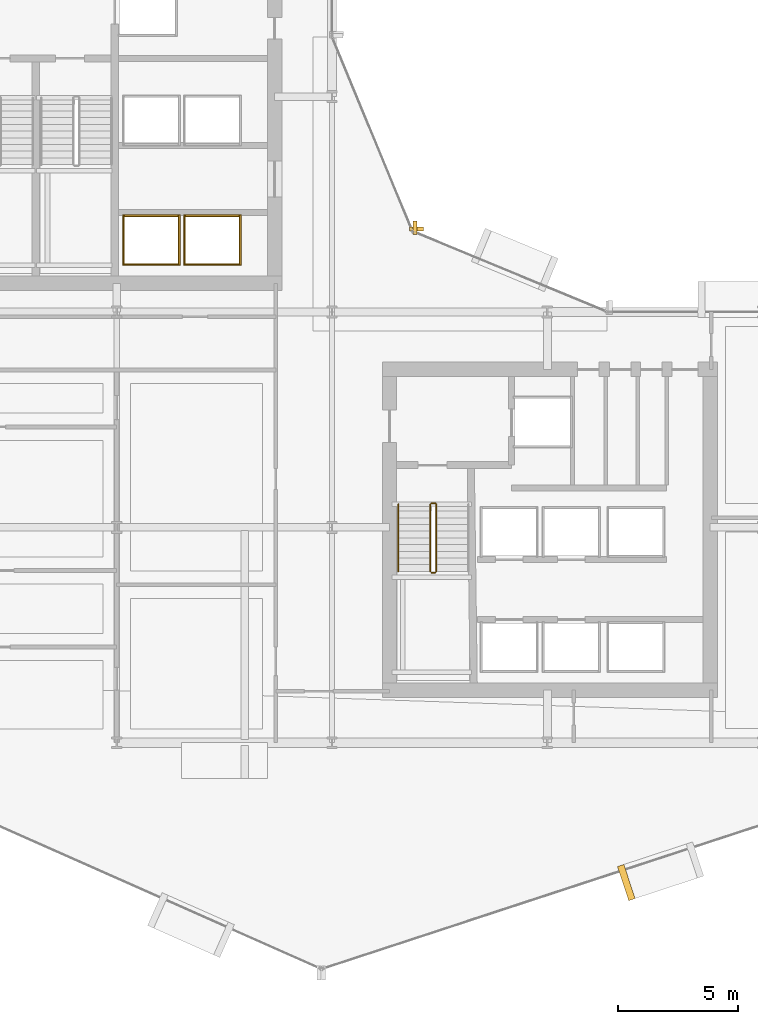
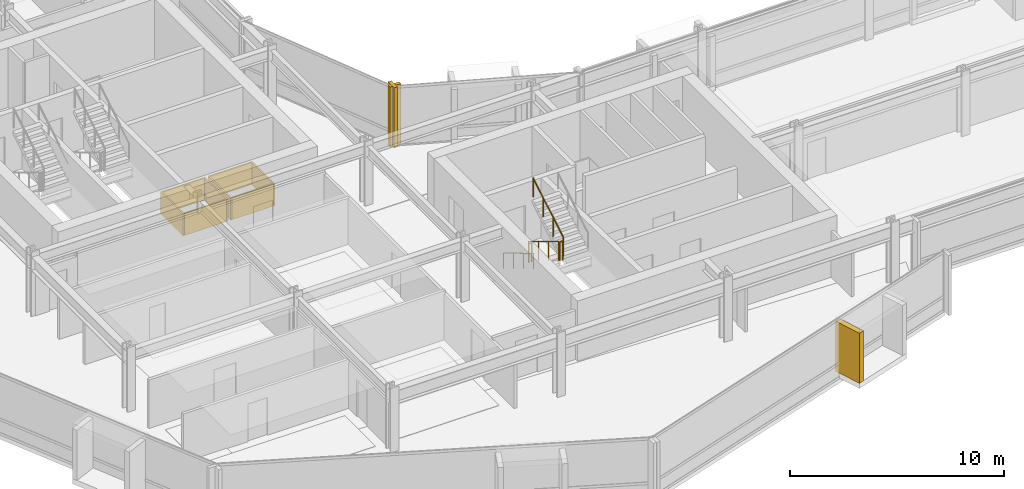
# One storey, part 31 of 34: 11 coverings, 5 railings.
"""IFC4 building model written with IfcOpenShell, lengths in metres."""

from ifc_helpers import new_model, si_unit, direction, frame, origin, origin_2d, place, context, subcontext, project, spatial, rectangle, circle, extrude, material, layer, layer_set, type_object, element, save


model = new_model("IFC4")

# Units and contexts
model_context = context("Model", 3, precision=1e-05, world=origin(), true_north=direction((0.0, 1.0)))
body_context = subcontext(model_context, "Body", "Model", "MODEL_VIEW")
ifc_project = project(units=[si_unit("LENGTHUNIT", "METRE"), si_unit("AREAUNIT", "SQUARE_METRE"), si_unit("VOLUMEUNIT", "CUBIC_METRE"), si_unit("PLANEANGLEUNIT", "RADIAN"), si_unit("MASSUNIT", "GRAM", prefix="KILO")], contexts=[model_context])

# Site, building, storey
site_placement = place(None, origin())
site = spatial("IfcSite", under=ifc_project, at=site_placement, CompositionType="ELEMENT")
building_placement = place(site_placement, origin())
building = spatial("IfcBuilding", under=site, at=building_placement, Name="Solvaryn Broadcast Tower", CompositionType="ELEMENT")
storey_placement = place(building_placement, frame((0.0, 0.0, 58.199951171875)))
storey = spatial("IfcBuildingStorey", under=building, at=storey_placement, Name="L13", CompositionType="ELEMENT", Elevation=58.199951171875)

# Coverings
ifc_material_1 = material(Name="Fire-Rated Gypsum Shaftwall Liner", Category="concrete")
ifc_layer_1 = layer(ifc_material_1, 0.080078125)
ifc_layer_set_1 = layer_set([ifc_layer_1], Name="CV-SHAFT-LINER")
covering_type_1 = type_object("IfcCoveringType", Name="CV-SHAFT-LINER", PredefinedType="CLADDING", material=ifc_layer_set_1)
for number, where, z_axis, x_axis, name in (
    (1, (19.449951171875, 31.014892578125, 0.0), (0.0, 0.0, 1.0), (1.0, 0.0, 0.0), "L13 PH1 Hoistway Shaft Liner North"),
    (2, (19.449951171875, 28.985107421875, 0.0), (0.0, 0.0, 1.0), (1.0, 0.0, 0.0), "L13 PH1 Hoistway Shaft Liner South"),
):
    element("IfcCovering", number, at=place(storey_placement, frame(where, z_axis=z_axis, x_axis=x_axis)), inside=storey, type_object=covering_type_1, Name=name, PredefinedType="CLADDING", context=body_context, shape_type="SweptSolid", body=[
        extrude(rectangle(XDim=2.409912109375, YDim=0.080078125, at=origin_2d()), origin(), (0.0, 0.0, 1.0), 1.25),
    ])
for number, where, z_axis, x_axis, name in (
    (3, (20.614990234375, 30.0, 0.0), (0.0, 0.0, 1.0), (1.0, 0.0, 0.0), "L13 PH1 Hoistway Shaft Liner East"),
    (4, (18.284912109375, 30.0, 0.0), (0.0, 0.0, 1.0), (1.0, 0.0, 0.0), "L13 PH1 Hoistway Shaft Liner West"),
):
    element("IfcCovering", number, at=place(storey_placement, frame(where, z_axis=z_axis, x_axis=x_axis)), inside=storey, type_object=covering_type_1, Name=name, PredefinedType="CLADDING", context=body_context, shape_type="SweptSolid", body=[
        extrude(rectangle(XDim=0.080078125, YDim=2.110107421875, at=origin_2d()), origin(), (0.0, 0.0, 1.0), 1.25),
    ])
for number, where, z_axis, x_axis, name in (
    (5, (22.0, 31.014892578125, 0.0), (0.0, 0.0, 1.0), (1.0, 0.0, 0.0), "L13 PH2 Hoistway Shaft Liner North"),
    (6, (22.0, 28.985107421875, 0.0), (0.0, 0.0, 1.0), (1.0, 0.0, 0.0), "L13 PH2 Hoistway Shaft Liner South"),
):
    element("IfcCovering", number, at=place(storey_placement, frame(where, z_axis=z_axis, x_axis=x_axis)), inside=storey, type_object=covering_type_1, Name=name, PredefinedType="CLADDING", context=body_context, shape_type="SweptSolid", body=[
        extrude(rectangle(XDim=2.409912109375, YDim=0.080078125, at=origin_2d()), origin(), (0.0, 0.0, 1.0), 1.25),
    ])
for number, where, z_axis, x_axis, name in (
    (7, (23.1650390625, 30.0, 0.0), (0.0, 0.0, 1.0), (1.0, 0.0, 0.0), "L13 PH2 Hoistway Shaft Liner East"),
    (8, (20.8349609375, 30.0, 0.0), (0.0, 0.0, 1.0), (1.0, 0.0, 0.0), "L13 PH2 Hoistway Shaft Liner West"),
):
    element("IfcCovering", number, at=place(storey_placement, frame(where, z_axis=z_axis, x_axis=x_axis)), inside=storey, type_object=covering_type_1, Name=name, PredefinedType="CLADDING", context=body_context, shape_type="SweptSolid", body=[
        extrude(rectangle(XDim=0.080078125, YDim=2.110107421875, at=origin_2d()), origin(), (0.0, 0.0, 1.0), 1.25),
    ])
ifc_material_2 = material(Name="Glazed Architectural Terracotta Rainscreen Cladding", Category="masonry")
ifc_layer_2 = layer(ifc_material_2, 0.280029296875)
ifc_layer_set_2 = layer_set([ifc_layer_2], Name="CV-TC-CLAD")
covering_type_2 = type_object("IfcCoveringType", Name="CV-TC-CLAD", PredefinedType="CLADDING", material=ifc_layer_set_2)
covering_1_placement = place(storey_placement, frame((39.298095703125, 3.155517578125, 0.27978515625), z_axis=(0.0, 0.0, 1.0), x_axis=(0.950189870912, 0.311671636848, 0.0)))
element("IfcCovering", 9, at=covering_1_placement, inside=storey, type_object=covering_type_2, Name="L13 Projecting Stone Window Box Cheek 4-1", PredefinedType="CLADDING", context=body_context, shape_type="SweptSolid", body=[
    extrude(rectangle(XDim=0.280029296875, YDim=1.5, at=origin_2d()), origin(), (0.0, 0.0, 1.0), 2.860107421875),
])
ifc_material_3 = material(Name="Extruded Architectural Terracotta Fin", Category="masonry")
ifc_layer_3 = layer(ifc_material_3, 0.179931640625)
ifc_layer_set_3 = layer_set([ifc_layer_3], Name="CV-TC-FIN")
covering_type_3 = type_object("IfcCoveringType", Name="CV-TC-FIN", PredefinedType="USERDEFINED", material=ifc_layer_set_3)
covering_2_placement = place(storey_placement, frame((30.464599609375, 30.52294921875, 0.0), z_axis=(0.0, 0.0, 1.0), x_axis=(1.0, 0.0, 0.0)))
element("IfcCovering", 10, at=covering_2_placement, inside=storey, type_object=covering_type_3, Name="L13 Terracotta Vertical Fin FIN-L13-CN1-M01", ObjectType="FIN", PredefinedType="USERDEFINED", context=body_context, shape_type="SweptSolid", body=[
    extrude(rectangle(XDim=0.179931640625, YDim=0.580078125, at=origin_2d()), origin(), (0.0, 0.0, 1.0), 3.419921875),
])
covering_3_placement = place(storey_placement, frame((30.52294921875, 30.464599609375, 0.0), z_axis=(0.0, 0.0, 1.0), x_axis=(1.0, 0.0, 0.0)))
element("IfcCovering", 11, at=covering_3_placement, inside=storey, type_object=covering_type_3, Name="L13 Terracotta Vertical Fin FIN-L13-CN2-M00", ObjectType="FIN", PredefinedType="USERDEFINED", context=body_context, shape_type="SweptSolid", body=[
    extrude(rectangle(XDim=0.580078125, YDim=0.179931640625, at=origin_2d()), origin(), (0.0, 0.0, 1.0), 3.419921875),
])

# Railings
ifc_material_4 = material(Name="Painted Steel Stair Well Guard", Category="steel")
railing_type_1 = type_object("IfcRailingType", Name="RL-STAIR-GUARD", PredefinedType="BALUSTRADE", material=ifc_material_4)
railing_1_placement = place(storey_placement, frame((31.110107421875, 18.9599609375, 0.168212890625)))
element("IfcRailing", 12, at=railing_1_placement, inside=storey, type_object=railing_type_1, Name="L13 ST3 stair guard 1", PredefinedType="BALUSTRADE", context=body_context, shape_type="SweptSolid", body=[
    extrude(circle(Radius=0.02392578125, at=origin_2d()), frame((0.0, 0.0, 1.076171875), z_axis=(0.0, -0.857242210791, 0.514913383045), x_axis=(1.0, 0.0, 0.0)), (0.0, 0.0, 1.0), 3.266357421875),
    extrude(circle(Radius=0.02099609375, at=origin_2d()), origin(), (0.0, 0.0, 1.0), 1.052001953125),
    extrude(circle(Radius=0.02099609375, at=origin_2d()), frame((0.0, -0.933349609375, 0.560546875)), (0.0, 0.0, 1.0), 1.052001953125),
    extrude(circle(Radius=0.02099609375, at=origin_2d()), frame((0.0, -1.86669921875, 1.121337890625)), (0.0, 0.0, 1.0), 1.052001953125),
    extrude(circle(Radius=0.02099609375, at=origin_2d()), frame((0.0, -2.800048828125, 1.681884765625)), (0.0, 0.0, 1.0), 1.052001953125),
])
railing_2_placement = place(storey_placement, frame((31.159912109375, 16.110107421875, 1.85009765625)))
element("IfcRailing", 13, at=railing_2_placement, inside=storey, type_object=railing_type_1, Name="L13 ST3 stair guard 2", PredefinedType="BALUSTRADE", context=body_context, shape_type="SweptSolid", body=[
    extrude(circle(Radius=0.02392578125, at=origin_2d()), frame((0.0, 0.0, 1.076171875), z_axis=(1.0, 0.0, 0.0), x_axis=(0.0, 1.0, 0.0)), (0.0, 0.0, 1.0), 0.150146484375),
    extrude(circle(Radius=0.02099609375, at=origin_2d()), origin(), (0.0, 0.0, 1.0), 1.052001953125),
    extrude(circle(Radius=0.02099609375, at=origin_2d()), frame((0.150146484375, 0.0, 0.0)), (0.0, 0.0, 1.0), 1.052001953125),
])
railing_3_placement = place(storey_placement, frame((31.360107421875, 16.159912109375, 2.018310546875)))
element("IfcRailing", 14, at=railing_3_placement, inside=storey, type_object=railing_type_1, Name="L13 ST3 stair guard 3", PredefinedType="BALUSTRADE", context=body_context, shape_type="SweptSolid", body=[
    extrude(circle(Radius=0.02392578125, at=origin_2d()), frame((0.0, 0.0, 1.076171875), z_axis=(0.0, 0.857275202839, 0.514858452973), x_axis=(-1.0, 0.0, 0.0)), (0.0, 0.0, 1.0), 3.26611328125),
    extrude(circle(Radius=0.02099609375, at=origin_2d()), origin(), (0.0, 0.0, 1.0), 1.052001953125),
    extrude(circle(Radius=0.02099609375, at=origin_2d()), frame((0.0, 0.933349609375, 0.560546875)), (0.0, 0.0, 1.0), 1.052001953125),
    extrude(circle(Radius=0.02099609375, at=origin_2d()), frame((0.0, 1.86669921875, 1.12109375)), (0.0, 0.0, 1.0), 1.052001953125),
    extrude(circle(Radius=0.02099609375, at=origin_2d()), frame((0.0, 2.800048828125, 1.681640625)), (0.0, 0.0, 1.0), 1.052001953125),
])
railing_4_placement = place(storey_placement, frame((31.159912109375, 19.010009765625, 0.0)))
element("IfcRailing", 15, at=railing_4_placement, inside=storey, type_object=railing_type_1, Name="L13 ST3 stair guard 4", PredefinedType="BALUSTRADE", context=body_context, shape_type="SweptSolid", body=[
    extrude(circle(Radius=0.02392578125, at=origin_2d()), frame((0.0, 0.0, 1.076171875), z_axis=(1.0, 0.0, 0.0), x_axis=(0.0, 1.0, 0.0)), (0.0, 0.0, 1.0), 0.150146484375),
    extrude(circle(Radius=0.02099609375, at=origin_2d()), origin(), (0.0, 0.0, 1.0), 1.052001953125),
    extrude(circle(Radius=0.02099609375, at=origin_2d()), frame((0.150146484375, 0.0, 0.0)), (0.0, 0.0, 1.0), 1.052001953125),
])
ifc_material_5 = material(Name="Brushed Stainless Steel Tubular Handrail", Category="steel")
railing_type_2 = type_object("IfcRailingType", Name="RL-STAIR-HANDRAIL", PredefinedType="HANDRAIL", material=ifc_material_5)
railing_5_placement = place(storey_placement, frame((29.77001953125, 18.9599609375, 0.168212890625)))
element("IfcRailing", 16, at=railing_5_placement, inside=storey, type_object=railing_type_2, Name="L13 ST3 stair handrail 1", PredefinedType="HANDRAIL", context=body_context, shape_type="SweptSolid", body=[
    extrude(circle(Radius=0.02392578125, at=origin_2d()), frame((0.0, 0.0, 0.8759765625), z_axis=(0.0, -0.857242210791, 0.514913383045), x_axis=(1.0, 0.0, 0.0)), (0.0, 0.0, 1.0), 3.266357421875),
    extrude(circle(Radius=0.02099609375, at=origin_2d()), origin(), (0.0, 0.0, 1.0), 0.851806640625),
    extrude(circle(Radius=0.02099609375, at=origin_2d()), frame((0.0, -0.933349609375, 0.560546875)), (0.0, 0.0, 1.0), 0.851806640625),
    extrude(circle(Radius=0.02099609375, at=origin_2d()), frame((0.0, -1.86669921875, 1.121337890625)), (0.0, 0.0, 1.0), 0.851806640625),
    extrude(circle(Radius=0.02099609375, at=origin_2d()), frame((0.0, -2.800048828125, 1.681884765625)), (0.0, 0.0, 1.0), 0.851806640625),
])

save(model, "model.ifc")
